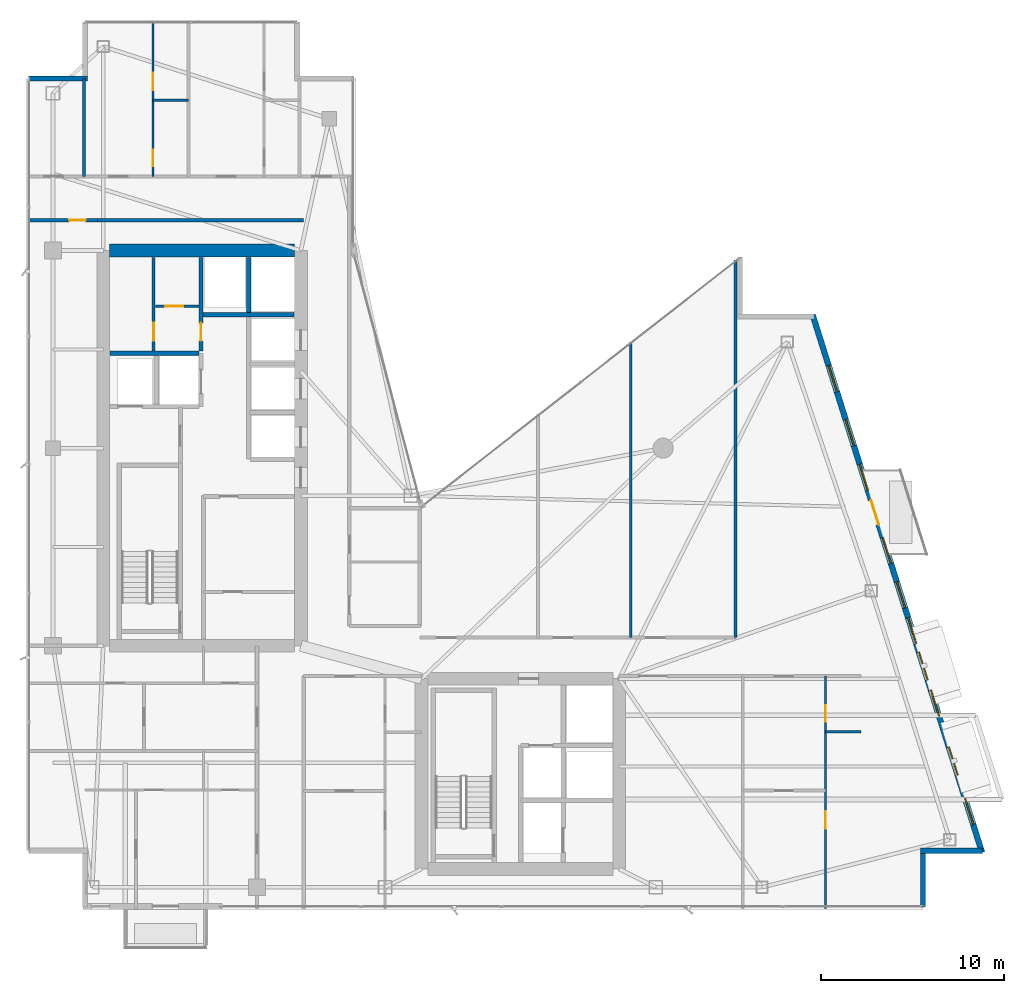
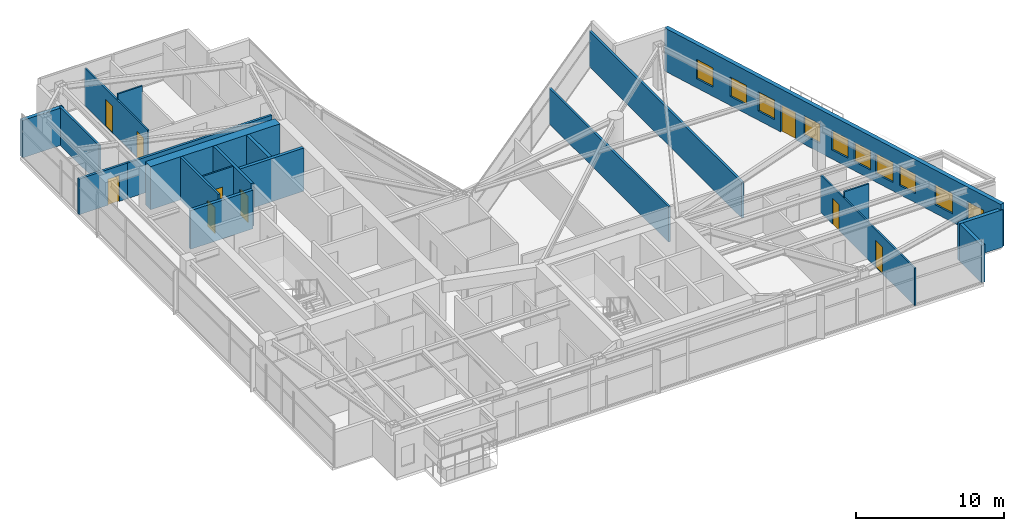
# One storey, part 25 of 29: 20 walls, 10 windows, 9 doors, 19 openings.
"""IFC4 building model written with IfcOpenShell, lengths in metres."""

from ifc_helpers import new_model, si_unit, direction, frame, frame_2d, origin, place, context, subcontext, project, spatial, rectangle, extrude, material, layer, layer_set, type_object, element, fill, save


model = new_model("IFC4")

# Units and contexts
model_context = context("Model", 3, precision=1e-05, world=origin(), true_north=direction((0.0, 1.0)))
body_context = subcontext(model_context, "Body", "Model", "MODEL_VIEW")
ifc_project = project(units=[si_unit("LENGTHUNIT", "METRE"), si_unit("AREAUNIT", "SQUARE_METRE"), si_unit("VOLUMEUNIT", "CUBIC_METRE"), si_unit("PLANEANGLEUNIT", "RADIAN"), si_unit("MASSUNIT", "GRAM", prefix="KILO")], contexts=[model_context])

# Site, building, storey
site_placement = place(None, origin())
site = spatial("IfcSite", under=ifc_project, at=site_placement, CompositionType="ELEMENT")
building_placement = place(site_placement, origin())
building = spatial("IfcBuilding", under=site, at=building_placement, Name="Calvorn Quay Hotel", CompositionType="ELEMENT")
storey_placement = place(building_placement, frame((0.0, 0.0, 211.0)))
storey = spatial("IfcBuildingStorey", under=building, at=storey_placement, Name="L52", CompositionType="ELEMENT", Elevation=211.0)

# Wall
ifc_material_1 = material(Name="Concrete C45", Category="concrete")
ifc_layer_1 = layer(ifc_material_1, 0.699951171875)
ifc_layer_set_1 = layer_set([ifc_layer_1], Name="WL-CORE-700")
wall_type_1 = type_object("IfcWallType", Name="WL-CORE-700", PredefinedType="SHEAR", material=ifc_layer_set_1)
wall_1_placement = place(storey_placement, frame((4.550048828125, 38.39990234375, 0.0), z_axis=(0.0, 0.0, 1.0), x_axis=(1.0, 0.0, 0.0)))
element("IfcWall", 1, at=wall_1_placement, inside=storey, type_object=wall_type_1, Name="West Core Shear Wall N (L52)", PredefinedType="SHEAR", context=body_context, shape_type="SweptSolid", body=[
    extrude(rectangle(XDim=10.099853515625, YDim=0.699951171875, at=frame_2d((5.0498046875, 0.0))), origin(), (0.0, 0.0, 1.0), 3.56005859375),
])

# Wall, opening, door
ifc_material_2 = material(Name="Acoustic Fireboard Steel-Stud Partition", Category="steel")
ifc_layer_2 = layer(ifc_material_2, 0.179931640625)
ifc_layer_set_2 = layer_set([ifc_layer_2], Name="WL-CORR-FIRE-180")
wall_type_2 = type_object("IfcWallType", Name="WL-CORR-FIRE-180", PredefinedType="PARTITIONING", material=ifc_layer_set_2)
wall_2_placement = place(storey_placement, frame((0.080078125, 40.050048828125, 0.0), z_axis=(0.0, 0.0, 1.0), x_axis=(1.0, 0.0, 0.0)))
wall_2 = element("IfcWall", 2, at=wall_2_placement, inside=storey, type_object=wall_type_2, Name="Partition Wall L52-WL-WBAY-N-DOOR", PredefinedType="PARTITIONING", context=body_context, shape_type="SweptSolid", body=[
    extrude(rectangle(XDim=3.7998046875, YDim=0.179931640625, at=frame_2d((1.89990234375, 0.0))), origin(), (0.0, 0.0, 1.0), 2.93994140625),
])
opening_1_placement = place(wall_2_placement, frame((2.25, 0.0, 0.0)))
opening_1 = element("IfcOpeningElement", 3, at=opening_1_placement, cuts=wall_2, Name="Opening D-L52-WBN", PredefinedType="OPENING", context=body_context, shape_type="SweptSolid", body=[
    extrude(rectangle(XDim=0.89990234375, YDim=2.14990234375, at=frame_2d((0.449951171875, 1.074951171875))), frame((0.0, 0.099853515625, 0.0), z_axis=(0.0, -1.0, 0.0), x_axis=(1.0, 0.0, 0.0)), (0.0, 0.0, 1.0), 0.199951171875),
])
ifc_material_3 = material(Name="Moisture-Sealed Timber En-Suite Door", Category="wood")
door_type_1 = type_object("IfcDoorType", Name="DR-ENSUITE-900", OperationType="NOTDEFINED", PredefinedType="DOOR", material=ifc_material_3)
door_1_placement = place(opening_1_placement, origin())
door_1 = element("IfcDoor", 4, at=door_1_placement, inside=storey, type_object=door_type_1, Name="West North Bay Door (L52)", OperationType="SINGLE_SWING_LEFT", OverallHeight=2.14990234375, OverallWidth=0.89990234375, PredefinedType="DOOR", context=body_context, shape_type="SweptSolid", body=[
    extrude(rectangle(XDim=0.89990234375, YDim=2.14990234375, at=frame_2d((0.449951171875, 1.074951171875))), frame((0.0, 0.02490234375, 0.0), z_axis=(0.0, -1.0, 0.0), x_axis=(1.0, 0.0, 0.0)), (0.0, 0.0, 1.0), 0.050048828125),
])
fill(opening_1, door_1)

# Walls
wall_3_placement = place(storey_placement, frame((3.830078125, 40.050048828125, 0.0), z_axis=(0.0, 0.0, 1.0), x_axis=(1.0, 0.0, 0.0)))
element("IfcWall", 5, at=wall_3_placement, inside=storey, type_object=wall_type_2, Name="Partition Wall L52-WL-W-SPUR-S", PredefinedType="PARTITIONING", context=body_context, shape_type="SweptSolid", body=[
    extrude(rectangle(XDim=11.31982421875, YDim=0.179931640625, at=frame_2d((5.659912109375, 0.0))), origin(), (0.0, 0.0, 1.0), 2.93994140625),
])
wall_4_placement = place(storey_placement, frame((38.75, 17.25, 0.0), z_axis=(0.0, 0.0, 1.0), x_axis=(0.0, 1.0, 0.0)))
element("IfcWall", 6, at=wall_4_placement, inside=storey, type_object=wall_type_2, Name="Partition Wall L52-WL-NE-END-E", PredefinedType="PARTITIONING", context=body_context, shape_type="SweptSolid", body=[
    extrude(rectangle(XDim=20.6298828125, YDim=0.179931640625, at=frame_2d((10.31494140625, 0.0))), origin(), (0.0, 0.0, 1.0), 2.93994140625),
])

# Wall, opening, door
ifc_material_4 = material(Name="Moisture-Resistant Tile-Backed Partition")
ifc_layer_3 = layer(ifc_material_4, 0.125)
ifc_layer_set_3 = layer_set([ifc_layer_3], Name="WL-ENSUITE-125")
wall_type_3 = type_object("IfcWallType", Name="WL-ENSUITE-125", PredefinedType="PARTITIONING", material=ifc_layer_set_3)
wall_5_placement = place(storey_placement, frame((7.050048828125, 35.35009765625, 0.0), z_axis=(0.0, 0.0, 1.0), x_axis=(1.0, 0.0, 0.0)))
wall_5 = element("IfcWall", 7, at=wall_5_placement, inside=storey, type_object=wall_type_3, Name="Partition Wall L52-WL-CWW-K-H", PredefinedType="PARTITIONING", context=body_context, shape_type="SweptSolid", body=[
    extrude(rectangle(XDim=2.369873046875, YDim=0.125, at=frame_2d((1.18505859375, 0.0))), origin(), (0.0, 0.0, 1.0), 3.56005859375),
])
opening_2_placement = place(wall_5_placement, frame((0.550048828125, 0.0, 0.0)))
opening_2 = element("IfcOpeningElement", 8, at=opening_2_placement, cuts=wall_5, Name="Opening D-L52-CK3", PredefinedType="OPENING", context=body_context, shape_type="SweptSolid", body=[
    extrude(rectangle(XDim=0.97998046875, YDim=2.14990234375, at=frame_2d((0.489990234375, 1.074951171875))), frame((0.0, 0.072509765625, 0.0), z_axis=(0.0, -1.0, 0.0), x_axis=(1.0, 0.0, 0.0)), (0.0, 0.0, 1.0), 0.14501953125),
])
ifc_material_5 = material(Name="Painted Steel Housekeeping/Riser Fire Door", Category="steel")
door_type_2 = type_object("IfcDoorType", Name="DR-SERVICE-980", OperationType="NOTDEFINED", PredefinedType="DOOR", material=ifc_material_5)
door_2_placement = place(opening_2_placement, origin())
door_2 = element("IfcDoor", 9, at=door_2_placement, inside=storey, type_object=door_type_2, Name="Telecom Closet Door (L52)", OperationType="SINGLE_SWING_RIGHT", OverallHeight=2.14990234375, OverallWidth=0.97998046875, PredefinedType="DOOR", context=body_context, shape_type="SweptSolid", body=[
    extrude(rectangle(XDim=0.97998046875, YDim=2.14990234375, at=frame_2d((0.489990234375, 1.074951171875))), frame((0.0, 0.02490234375, 0.0), z_axis=(0.0, -1.0, 0.0), x_axis=(1.0, 0.0, 0.0)), (0.0, 0.0, 1.0), 0.050048828125),
])
fill(opening_2, door_2)

# Wall
wall_6_placement = place(storey_placement, frame((6.919921875, 46.6201171875, 0.0), z_axis=(0.0, 0.0, 1.0), x_axis=(1.0, 0.0, 0.0)))
element("IfcWall", 10, at=wall_6_placement, inside=storey, type_object=wall_type_3, Name="Partition Wall L52-WL-U04-BDV", PredefinedType="PARTITIONING", context=body_context, shape_type="SweptSolid", body=[
    extrude(rectangle(XDim=1.93017578125, YDim=0.125, at=frame_2d((0.965087890625, 0.0))), origin(), (0.0, 0.0, 1.0), 3.56005859375),
])

# Wall, openings, doors
wall_7_placement = place(storey_placement, frame((6.919921875, 42.449951171875, 0.0), z_axis=(0.0, 0.0, 1.0), x_axis=(0.0, 1.0, 0.0)))
wall_7 = element("IfcWall", 11, at=wall_7_placement, inside=storey, type_object=wall_type_3, Name="Partition Wall L52-WL-U04-BV", PredefinedType="PARTITIONING", context=body_context, shape_type="SweptSolid", body=[
    extrude(rectangle(XDim=8.489990234375, YDim=0.125, at=frame_2d((4.2451171875, 0.0))), origin(), (0.0, 0.0, 1.0), 3.090087890625),
])
opening_3_placement = place(wall_7_placement, frame((0.550048828125, 0.0, 0.0)))
opening_3 = element("IfcOpeningElement", 12, at=opening_3_placement, cuts=wall_7, Name="Opening D-L52-E04", PredefinedType="OPENING", context=body_context, shape_type="SweptSolid", body=[
    extrude(rectangle(XDim=0.89990234375, YDim=2.14990234375, at=frame_2d((0.449951171875, 1.074951171875))), frame((0.0, 0.072509765625, 0.0), z_axis=(0.0, -1.0, 0.0), x_axis=(1.0, 0.0, 0.0)), (0.0, 0.0, 1.0), 0.14501953125),
])
opening_4_placement = place(wall_7_placement, frame((4.719970703125, 0.0, 0.0)))
opening_4 = element("IfcOpeningElement", 13, at=opening_4_placement, cuts=wall_7, Name="Opening D-L52-S04", PredefinedType="OPENING", context=body_context, shape_type="SweptSolid", body=[
    extrude(rectangle(XDim=0.9599609375, YDim=2.199951171875, at=frame_2d((0.47998046875, 1.10009765625))), frame((0.0, 0.072509765625, 0.0), z_axis=(0.0, -1.0, 0.0), x_axis=(1.0, 0.0, 0.0)), (0.0, 0.0, 1.0), 0.14501953125),
])
door_3_placement = place(opening_3_placement, origin())
door_3 = element("IfcDoor", 14, at=door_3_placement, inside=storey, type_object=door_type_1, Name="En-Suite Door 04", OperationType="SINGLE_SWING_LEFT", OverallHeight=2.14990234375, OverallWidth=0.89990234375, PredefinedType="DOOR", context=body_context, shape_type="SweptSolid", body=[
    extrude(rectangle(XDim=0.89990234375, YDim=2.14990234375, at=frame_2d((0.449951171875, 1.074951171875))), frame((0.0, 0.02490234375, 0.0), z_axis=(0.0, -1.0, 0.0), x_axis=(1.0, 0.0, 0.0)), (0.0, 0.0, 1.0), 0.050048828125),
])
fill(opening_3, door_3)
ifc_material_6 = material(Name="Solid Timber Internal Suite Door", Category="wood")
door_type_3 = type_object("IfcDoorType", Name="DR-SUITE-INT-960", OperationType="NOTDEFINED", PredefinedType="DOOR", material=ifc_material_6)
door_4_placement = place(opening_4_placement, origin())
door_4 = element("IfcDoor", 15, at=door_4_placement, inside=storey, type_object=door_type_3, Name="Harbour Tea Room Door 04", OperationType="SINGLE_SWING_RIGHT", OverallHeight=2.199951171875, OverallWidth=0.9599609375, PredefinedType="DOOR", context=body_context, shape_type="SweptSolid", body=[
    extrude(rectangle(XDim=0.9599609375, YDim=2.199951171875, at=frame_2d((0.47998046875, 1.10009765625))), frame((0.0, 0.02490234375, 0.0), z_axis=(0.0, -1.0, 0.0), x_axis=(1.0, 0.0, 0.0)), (0.0, 0.0, 1.0), 0.050048828125),
])
fill(opening_4, door_4)

# Wall
wall_8_placement = place(storey_placement, frame((43.669921875, 12.10009765625, 0.0), z_axis=(0.0, 0.0, 1.0), x_axis=(1.0, 0.0, 0.0)))
element("IfcWall", 16, at=wall_8_placement, inside=storey, type_object=wall_type_3, Name="Partition Wall L52-WL-U06-BDV", PredefinedType="PARTITIONING", context=body_context, shape_type="SweptSolid", body=[
    extrude(rectangle(XDim=1.93017578125, YDim=0.125, at=frame_2d((0.965087890625, 0.0))), origin(), (0.0, 0.0, 1.0), 3.56005859375),
])

# Wall, openings, doors
wall_9_placement = place(storey_placement, frame((43.669921875, 2.43994140625, 0.0), z_axis=(0.0, 0.0, 1.0), x_axis=(0.0, 1.0, 0.0)))
wall_9 = element("IfcWall", 17, at=wall_9_placement, inside=storey, type_object=wall_type_3, Name="Partition Wall L52-WL-U06-BV", PredefinedType="PARTITIONING", context=body_context, shape_type="SweptSolid", body=[
    extrude(rectangle(XDim=12.7099609375, YDim=0.125, at=frame_2d((6.35498046875, 0.0))), origin(), (0.0, 0.0, 1.0), 3.090087890625),
])
opening_5_placement = place(wall_9_placement, frame((4.35009765625, 0.0, 0.0)))
opening_5 = element("IfcOpeningElement", 18, at=opening_5_placement, cuts=wall_9, Name="Opening D-L52-S06", PredefinedType="OPENING", context=body_context, shape_type="SweptSolid", body=[
    extrude(rectangle(XDim=0.9599609375, YDim=2.199951171875, at=frame_2d((0.47998046875, 1.10009765625))), frame((0.0, 0.072509765625, 0.0), z_axis=(0.0, -1.0, 0.0), x_axis=(1.0, 0.0, 0.0)), (0.0, 0.0, 1.0), 0.14501953125),
])
opening_6_placement = place(wall_9_placement, frame((10.2099609375, 0.0, 0.0)))
opening_6 = element("IfcOpeningElement", 19, at=opening_6_placement, cuts=wall_9, Name="Opening D-L52-E06", PredefinedType="OPENING", context=body_context, shape_type="SweptSolid", body=[
    extrude(rectangle(XDim=0.89990234375, YDim=2.14990234375, at=frame_2d((0.449951171875, 1.074951171875))), frame((0.0, 0.072509765625, 0.0), z_axis=(0.0, -1.0, 0.0), x_axis=(1.0, 0.0, 0.0)), (0.0, 0.0, 1.0), 0.14501953125),
])
door_5_placement = place(opening_6_placement, origin())
door_5 = element("IfcDoor", 20, at=door_5_placement, inside=storey, type_object=door_type_1, Name="En-Suite Door 06", OperationType="SINGLE_SWING_RIGHT", OverallHeight=2.14990234375, OverallWidth=0.89990234375, PredefinedType="DOOR", context=body_context, shape_type="SweptSolid", body=[
    extrude(rectangle(XDim=0.89990234375, YDim=2.14990234375, at=frame_2d((0.449951171875, 1.074951171875))), frame((0.0, 0.02490234375, 0.0), z_axis=(0.0, -1.0, 0.0), x_axis=(1.0, 0.0, 0.0)), (0.0, 0.0, 1.0), 0.050048828125),
])
fill(opening_6, door_5)
door_6_placement = place(opening_5_placement, origin())
door_6 = element("IfcDoor", 21, at=door_6_placement, inside=storey, type_object=door_type_3, Name="Harbour Tea Room Door 06", OperationType="SINGLE_SWING_LEFT", OverallHeight=2.199951171875, OverallWidth=0.9599609375, PredefinedType="DOOR", context=body_context, shape_type="SweptSolid", body=[
    extrude(rectangle(XDim=0.9599609375, YDim=2.199951171875, at=frame_2d((0.47998046875, 1.10009765625))), frame((0.0, 0.02490234375, 0.0), z_axis=(0.0, -1.0, 0.0), x_axis=(1.0, 0.0, 0.0)), (0.0, 0.0, 1.0), 0.050048828125),
])
fill(opening_5, door_6)

# Walls
ifc_material_7 = material(Name="Concrete C40", Category="concrete")
ifc_layer_4 = layer(ifc_material_7, 0.320068359375)
ifc_layer_set_4 = layer_set([ifc_layer_4], Name="WL-EXT-SPANDREL-320")
wall_type_4 = type_object("IfcWallType", Name="WL-EXT-SPANDREL-320", PredefinedType="SOLIDWALL", material=ifc_layer_set_4)
wall_10_placement = place(storey_placement, frame((49.0, 2.52001953125, 0.0), z_axis=(0.0, 0.0, 1.0), x_axis=(0.0, 1.0, 0.0)))
element("IfcWall", 22, at=wall_10_placement, inside=storey, type_object=wall_type_4, Name="Notched Corner Spandrel L52-SE1", PredefinedType="SOLIDWALL", context=body_context, shape_type="SweptSolid", body=[
    extrude(rectangle(XDim=2.93994140625, YDim=0.280029296875, at=frame_2d((1.469970703125, 0.0))), origin(), (0.0, 0.0, 1.0), 3.090087890625),
])
wall_11_placement = place(storey_placement, frame((48.860107421875, 5.60009765625, 0.0), z_axis=(0.0, 0.0, 1.0), x_axis=(1.0, 0.0, 0.0)))
element("IfcWall", 23, at=wall_11_placement, inside=storey, type_object=wall_type_4, Name="Notched Corner Spandrel L52-SE2", PredefinedType="SOLIDWALL", context=body_context, shape_type="SweptSolid", body=[
    extrude(rectangle(XDim=3.3798828125, YDim=0.280029296875, at=frame_2d((1.68994140625, 0.0))), origin(), (0.0, 0.0, 1.0), 3.090087890625),
])
wall_12_placement = place(storey_placement, frame((3.340087890625, 47.800048828125, 0.0), z_axis=(0.0, 0.0, 1.0), x_axis=(-1.0, 0.0, 0.0)))
element("IfcWall", 24, at=wall_12_placement, inside=storey, type_object=wall_type_4, Name="Notched Corner Spandrel L52-NW2", PredefinedType="SOLIDWALL", context=body_context, shape_type="SweptSolid", body=[
    extrude(rectangle(XDim=3.219970703125, YDim=0.280029296875, at=frame_2d((1.60986328125, 0.0))), origin(), (0.0, 0.0, 1.0), 3.090087890625),
])

# Wall, openings, door, windows
wall_13_placement = place(storey_placement, frame((52.22998046875, 5.5048828125, 0.0), z_axis=(0.0, 0.0, 1.0), x_axis=(-0.300509063924, 0.953778958931, 0.0)))
wall_13 = element("IfcWall", 25, at=wall_13_placement, inside=storey, type_object=wall_type_4, Name="East Stepped Waterfront Exterior Wall (L52)", PredefinedType="SOLIDWALL", context=body_context, shape_type="SweptSolid", body=[
    extrude(rectangle(XDim=30.814453125, YDim=0.320068359375, at=frame_2d((15.4072265625, 0.0))), origin(), (0.0, 0.0, 1.0), 3.56005859375),
])
opening_7_placement = place(wall_13_placement, frame((18.7958984375, 0.0, 0.0)))
opening_7 = element("IfcOpeningElement", 26, at=opening_7_placement, cuts=wall_13, Name="Opening DB-L52-1", PredefinedType="OPENING", context=body_context, shape_type="SweptSolid", body=[
    extrude(rectangle(XDim=1.39990234375, YDim=2.25, at=frame_2d((0.699951171875, 1.125))), frame((0.0, 0.169921875, 0.0), z_axis=(0.0, -1.0, 0.0), x_axis=(1.0, 0.0, 0.0)), (0.0, 0.0, 1.0), 0.340087890625),
])
opening_8_placement = place(wall_13_placement, frame((4.43701171875, 0.0, 0.699951171875)))
opening_8 = element("IfcOpeningElement", 27, at=opening_8_placement, cuts=wall_13, Name="Opening WHD-L52-1", PredefinedType="OPENING", context=body_context, shape_type="SweptSolid", body=[
    extrude(rectangle(XDim=1.60009765625, YDim=1.64990234375, at=frame_2d((0.800048828125, 0.824951171875))), frame((0.0, 0.169921875, 0.0), z_axis=(0.0, -1.0, 0.0), x_axis=(1.0, 0.0, 0.0)), (0.0, 0.0, 1.0), 0.340087890625),
])
opening_9_placement = place(wall_13_placement, frame((9.888916015625, 0.0, 0.699951171875)))
opening_9 = element("IfcOpeningElement", 28, at=opening_9_placement, cuts=wall_13, Name="Opening WHD-L52-2", PredefinedType="OPENING", context=body_context, shape_type="SweptSolid", body=[
    extrude(rectangle(XDim=1.60009765625, YDim=1.64990234375, at=frame_2d((0.800048828125, 0.824951171875))), frame((0.0, 0.169921875, 0.0), z_axis=(0.0, -1.0, 0.0), x_axis=(1.0, 0.0, 0.0)), (0.0, 0.0, 1.0), 0.340087890625),
])
opening_10_placement = place(wall_13_placement, frame((1.60009765625, 0.0, 0.75)))
opening_10 = element("IfcOpeningElement", 29, at=opening_10_placement, cuts=wall_13, Name="Opening WG-L52-E1", PredefinedType="OPENING", context=body_context, shape_type="SweptSolid", body=[
    extrude(rectangle(XDim=1.5, YDim=1.60009765625, at=frame_2d((0.75, 0.800048828125))), frame((0.0, 0.169921875, 0.0), z_axis=(0.0, -1.0, 0.0), x_axis=(1.0, 0.0, 0.0)), (0.0, 0.0, 1.0), 0.340087890625),
])
opening_11_placement = place(wall_13_placement, frame((7.800048828125, 0.0, 0.75)))
opening_11 = element("IfcOpeningElement", 30, at=opening_11_placement, cuts=wall_13, Name="Opening WG-L52-E2", PredefinedType="OPENING", context=body_context, shape_type="SweptSolid", body=[
    extrude(rectangle(XDim=1.5, YDim=1.60009765625, at=frame_2d((0.75, 0.800048828125))), frame((0.0, 0.169921875, 0.0), z_axis=(0.0, -1.0, 0.0), x_axis=(1.0, 0.0, 0.0)), (0.0, 0.0, 1.0), 0.340087890625),
])
opening_12_placement = place(wall_13_placement, frame((11.949951171875, 0.0, 0.75)))
opening_12 = element("IfcOpeningElement", 31, at=opening_12_placement, cuts=wall_13, Name="Opening WG-L52-E3", PredefinedType="OPENING", context=body_context, shape_type="SweptSolid", body=[
    extrude(rectangle(XDim=1.5, YDim=1.60009765625, at=frame_2d((0.75, 0.800048828125))), frame((0.0, 0.169921875, 0.0), z_axis=(0.0, -1.0, 0.0), x_axis=(1.0, 0.0, 0.0)), (0.0, 0.0, 1.0), 0.340087890625),
])
opening_13_placement = place(wall_13_placement, frame((14.0, 0.0, 0.75)))
opening_13 = element("IfcOpeningElement", 32, at=opening_13_placement, cuts=wall_13, Name="Opening WG-L52-E4", PredefinedType="OPENING", context=body_context, shape_type="SweptSolid", body=[
    extrude(rectangle(XDim=1.5, YDim=1.60009765625, at=frame_2d((0.75, 0.800048828125))), frame((0.0, 0.169921875, 0.0), z_axis=(0.0, -1.0, 0.0), x_axis=(1.0, 0.0, 0.0)), (0.0, 0.0, 1.0), 0.340087890625),
])
opening_14_placement = place(wall_13_placement, frame((16.550048828125, 0.0, 0.75)))
opening_14 = element("IfcOpeningElement", 33, at=opening_14_placement, cuts=wall_13, Name="Opening WG-L52-E5", PredefinedType="OPENING", context=body_context, shape_type="SweptSolid", body=[
    extrude(rectangle(XDim=1.5, YDim=1.60009765625, at=frame_2d((0.75, 0.800048828125))), frame((0.0, 0.169921875, 0.0), z_axis=(0.0, -1.0, 0.0), x_axis=(1.0, 0.0, 0.0)), (0.0, 0.0, 1.0), 0.340087890625),
])
opening_15_placement = place(wall_13_placement, frame((20.75, 0.0, 0.75)))
opening_15 = element("IfcOpeningElement", 34, at=opening_15_placement, cuts=wall_13, Name="Opening WG-L52-E6", PredefinedType="OPENING", context=body_context, shape_type="SweptSolid", body=[
    extrude(rectangle(XDim=1.5, YDim=1.60009765625, at=frame_2d((0.75, 0.800048828125))), frame((0.0, 0.169921875, 0.0), z_axis=(0.0, -1.0, 0.0), x_axis=(1.0, 0.0, 0.0)), (0.0, 0.0, 1.0), 0.340087890625),
])
opening_16_placement = place(wall_13_placement, frame((23.300048828125, 0.0, 0.75)))
opening_16 = element("IfcOpeningElement", 35, at=opening_16_placement, cuts=wall_13, Name="Opening WG-L52-E7", PredefinedType="OPENING", context=body_context, shape_type="SweptSolid", body=[
    extrude(rectangle(XDim=1.5, YDim=1.60009765625, at=frame_2d((0.75, 0.800048828125))), frame((0.0, 0.169921875, 0.0), z_axis=(0.0, -1.0, 0.0), x_axis=(1.0, 0.0, 0.0)), (0.0, 0.0, 1.0), 0.340087890625),
])
opening_17_placement = place(wall_13_placement, frame((26.39990234375, 0.0, 0.75)))
opening_17 = element("IfcOpeningElement", 36, at=opening_17_placement, cuts=wall_13, Name="Opening WG-L52-E8", PredefinedType="OPENING", context=body_context, shape_type="SweptSolid", body=[
    extrude(rectangle(XDim=1.5, YDim=1.60009765625, at=frame_2d((0.75, 0.800048828125))), frame((0.0, 0.169921875, 0.0), z_axis=(0.0, -1.0, 0.0), x_axis=(1.0, 0.0, 0.0)), (0.0, 0.0, 1.0), 0.340087890625),
])
ifc_material_8 = material(Name="Typhoon-Rated Low-E Aluminium Terrace Door", Category="aluminium")
door_type_4 = type_object("IfcDoorType", Name="DR-BALCONY-GLZ-1400", OperationType="NOTDEFINED", PredefinedType="DOOR", material=ifc_material_8)
door_7_placement = place(opening_7_placement, origin())
door_7 = element("IfcDoor", 37, at=door_7_placement, inside=storey, type_object=door_type_4, Name="Tree Balcony Terrace Door L52-BALC-E", OperationType="SINGLE_SWING_LEFT", OverallHeight=2.25, OverallWidth=1.39990234375, PredefinedType="DOOR", context=body_context, shape_type="SweptSolid", body=[
    extrude(rectangle(XDim=1.39990234375, YDim=2.25, at=frame_2d((0.699951171875, 1.125))), frame((0.0, 0.02490234375, 0.0), z_axis=(0.0, -1.0, 0.0), x_axis=(1.0, 0.0, 0.0)), (0.0, 0.0, 1.0), 0.050048828125),
])
fill(opening_7, door_7)
ifc_material_9 = material(Name="Champagne-Bronze Aluminium Low-E Window", Category="aluminium")
window_type_1 = type_object("IfcWindowType", Name="WIN-GUEST-SIDE-1600x2100", PartitioningType="SINGLE_PANEL", PredefinedType="WINDOW", material=ifc_material_9)
window_1_placement = place(opening_8_placement, origin())
window_1 = element("IfcWindow", 38, at=window_1_placement, inside=storey, type_object=window_type_1, Name="Bay Hood Window L52-HOOD-1", OverallHeight=1.64990234375, OverallWidth=1.60009765625, PartitioningType="SINGLE_PANEL", PredefinedType="WINDOW", context=body_context, shape_type="SweptSolid", body=[
    extrude(rectangle(XDim=1.60009765625, YDim=1.64990234375, at=frame_2d((0.800048828125, 0.824951171875))), frame((0.0, 0.030029296875, 0.0), z_axis=(0.0, -1.0, 0.0), x_axis=(1.0, 0.0, 0.0)), (0.0, 0.0, 1.0), 0.06005859375),
])
fill(opening_8, window_1)
window_2_placement = place(opening_9_placement, origin())
window_2 = element("IfcWindow", 39, at=window_2_placement, inside=storey, type_object=window_type_1, Name="Bay Hood Window L52-HOOD-2", OverallHeight=1.64990234375, OverallWidth=1.60009765625, PartitioningType="SINGLE_PANEL", PredefinedType="WINDOW", context=body_context, shape_type="SweptSolid", body=[
    extrude(rectangle(XDim=1.60009765625, YDim=1.64990234375, at=frame_2d((0.800048828125, 0.824951171875))), frame((0.0, 0.030029296875, 0.0), z_axis=(0.0, -1.0, 0.0), x_axis=(1.0, 0.0, 0.0)), (0.0, 0.0, 1.0), 0.06005859375),
])
fill(opening_9, window_2)
ifc_material_10 = material(Name="Self-Closing Class B Fire Window")
window_type_2 = type_object("IfcWindowType", Name="WIN-REFUGE-1500x1600", PartitioningType="SINGLE_PANEL", PredefinedType="WINDOW", material=ifc_material_10)
window_3_placement = place(opening_10_placement, origin())
window_3 = element("IfcWindow", 40, at=window_3_placement, inside=storey, type_object=window_type_2, Name="East Facade Window L52-E1", OverallHeight=1.60009765625, OverallWidth=1.5, PartitioningType="SINGLE_PANEL", PredefinedType="WINDOW", context=body_context, shape_type="SweptSolid", body=[
    extrude(rectangle(XDim=1.5, YDim=1.60009765625, at=frame_2d((0.75, 0.800048828125))), frame((0.0, 0.030029296875, 0.0), z_axis=(0.0, -1.0, 0.0), x_axis=(1.0, 0.0, 0.0)), (0.0, 0.0, 1.0), 0.06005859375),
])
fill(opening_10, window_3)
window_4_placement = place(opening_11_placement, origin())
window_4 = element("IfcWindow", 41, at=window_4_placement, inside=storey, type_object=window_type_2, Name="East Facade Window L52-E2", OverallHeight=1.60009765625, OverallWidth=1.5, PartitioningType="SINGLE_PANEL", PredefinedType="WINDOW", context=body_context, shape_type="SweptSolid", body=[
    extrude(rectangle(XDim=1.5, YDim=1.60009765625, at=frame_2d((0.75, 0.800048828125))), frame((0.0, 0.030029296875, 0.0), z_axis=(0.0, -1.0, 0.0), x_axis=(1.0, 0.0, 0.0)), (0.0, 0.0, 1.0), 0.06005859375),
])
fill(opening_11, window_4)
window_5_placement = place(opening_12_placement, origin())
window_5 = element("IfcWindow", 42, at=window_5_placement, inside=storey, type_object=window_type_2, Name="East Facade Window L52-E3", OverallHeight=1.60009765625, OverallWidth=1.5, PartitioningType="SINGLE_PANEL", PredefinedType="WINDOW", context=body_context, shape_type="SweptSolid", body=[
    extrude(rectangle(XDim=1.5, YDim=1.60009765625, at=frame_2d((0.75, 0.800048828125))), frame((0.0, 0.030029296875, 0.0), z_axis=(0.0, -1.0, 0.0), x_axis=(1.0, 0.0, 0.0)), (0.0, 0.0, 1.0), 0.06005859375),
])
fill(opening_12, window_5)
window_6_placement = place(opening_13_placement, origin())
window_6 = element("IfcWindow", 43, at=window_6_placement, inside=storey, type_object=window_type_2, Name="East Facade Window L52-E4", OverallHeight=1.60009765625, OverallWidth=1.5, PartitioningType="SINGLE_PANEL", PredefinedType="WINDOW", context=body_context, shape_type="SweptSolid", body=[
    extrude(rectangle(XDim=1.5, YDim=1.60009765625, at=frame_2d((0.75, 0.800048828125))), frame((0.0, 0.030029296875, 0.0), z_axis=(0.0, -1.0, 0.0), x_axis=(1.0, 0.0, 0.0)), (0.0, 0.0, 1.0), 0.06005859375),
])
fill(opening_13, window_6)
window_7_placement = place(opening_14_placement, origin())
window_7 = element("IfcWindow", 44, at=window_7_placement, inside=storey, type_object=window_type_2, Name="East Facade Window L52-E5", OverallHeight=1.60009765625, OverallWidth=1.5, PartitioningType="SINGLE_PANEL", PredefinedType="WINDOW", context=body_context, shape_type="SweptSolid", body=[
    extrude(rectangle(XDim=1.5, YDim=1.60009765625, at=frame_2d((0.75, 0.800048828125))), frame((0.0, 0.030029296875, 0.0), z_axis=(0.0, -1.0, 0.0), x_axis=(1.0, 0.0, 0.0)), (0.0, 0.0, 1.0), 0.06005859375),
])
fill(opening_14, window_7)
window_8_placement = place(opening_15_placement, origin())
window_8 = element("IfcWindow", 45, at=window_8_placement, inside=storey, type_object=window_type_2, Name="East Facade Window L52-E6", OverallHeight=1.60009765625, OverallWidth=1.5, PartitioningType="SINGLE_PANEL", PredefinedType="WINDOW", context=body_context, shape_type="SweptSolid", body=[
    extrude(rectangle(XDim=1.5, YDim=1.60009765625, at=frame_2d((0.75, 0.800048828125))), frame((0.0, 0.030029296875, 0.0), z_axis=(0.0, -1.0, 0.0), x_axis=(1.0, 0.0, 0.0)), (0.0, 0.0, 1.0), 0.06005859375),
])
fill(opening_15, window_8)
window_9_placement = place(opening_16_placement, origin())
window_9 = element("IfcWindow", 46, at=window_9_placement, inside=storey, type_object=window_type_2, Name="East Facade Window L52-E7", OverallHeight=1.60009765625, OverallWidth=1.5, PartitioningType="SINGLE_PANEL", PredefinedType="WINDOW", context=body_context, shape_type="SweptSolid", body=[
    extrude(rectangle(XDim=1.5, YDim=1.60009765625, at=frame_2d((0.75, 0.800048828125))), frame((0.0, 0.030029296875, 0.0), z_axis=(0.0, -1.0, 0.0), x_axis=(1.0, 0.0, 0.0)), (0.0, 0.0, 1.0), 0.06005859375),
])
fill(opening_16, window_9)
window_10_placement = place(opening_17_placement, origin())
window_10 = element("IfcWindow", 47, at=window_10_placement, inside=storey, type_object=window_type_2, Name="East Facade Window L52-E8", OverallHeight=1.60009765625, OverallWidth=1.5, PartitioningType="SINGLE_PANEL", PredefinedType="WINDOW", context=body_context, shape_type="SweptSolid", body=[
    extrude(rectangle(XDim=1.5, YDim=1.60009765625, at=frame_2d((0.75, 0.800048828125))), frame((0.0, 0.030029296875, 0.0), z_axis=(0.0, -1.0, 0.0), x_axis=(1.0, 0.0, 0.0)), (0.0, 0.0, 1.0), 0.06005859375),
])
fill(opening_17, window_10)

# Wall, opening, door
ifc_material_11 = material(Name="Double-Stud Acoustic Gypsum Partition")
ifc_layer_5 = layer(ifc_material_11, 0.159912109375)
ifc_layer_set_5 = layer_set([ifc_layer_5], Name="WL-INTERSUITE-160")
wall_type_5 = type_object("IfcWallType", Name="WL-INTERSUITE-160", PredefinedType="PARTITIONING", material=ifc_layer_set_5)
wall_14_placement = place(storey_placement, frame((6.949951171875, 32.919921875, 0.0), z_axis=(0.0, 0.0, 1.0), x_axis=(0.0, 1.0, 0.0)))
wall_14 = element("IfcWall", 48, at=wall_14_placement, inside=storey, type_object=wall_type_5, Name="Partition Wall L52-WL-CWW-K-V", PredefinedType="PARTITIONING", context=body_context, shape_type="SweptSolid", body=[
    extrude(rectangle(XDim=5.110107421875, YDim=0.159912109375, at=frame_2d((2.55517578125, 0.0))), origin(), (0.0, 0.0, 1.0), 3.56005859375),
])
opening_18_placement = place(wall_14_placement, frame((0.550048828125, 0.0, 0.0)))
opening_18 = element("IfcOpeningElement", 49, at=opening_18_placement, cuts=wall_14, Name="Opening D-L52-CK1", PredefinedType="OPENING", context=body_context, shape_type="SweptSolid", body=[
    extrude(rectangle(XDim=0.97998046875, YDim=2.14990234375, at=frame_2d((0.489990234375, 1.074951171875))), frame((0.0, 0.08984375, 0.0), z_axis=(0.0, -1.0, 0.0), x_axis=(1.0, 0.0, 0.0)), (0.0, 0.0, 1.0), 0.179931640625),
])
door_8_placement = place(opening_18_placement, origin())
door_8 = element("IfcDoor", 50, at=door_8_placement, inside=storey, type_object=door_type_2, Name="Pipe Riser Door (L52)", OperationType="SINGLE_SWING_LEFT", OverallHeight=2.14990234375, OverallWidth=0.97998046875, PredefinedType="DOOR", context=body_context, shape_type="SweptSolid", body=[
    extrude(rectangle(XDim=0.97998046875, YDim=2.14990234375, at=frame_2d((0.489990234375, 1.074951171875))), frame((0.0, 0.02490234375, 0.0), z_axis=(0.0, -1.0, 0.0), x_axis=(1.0, 0.0, 0.0)), (0.0, 0.0, 1.0), 0.050048828125),
])
fill(opening_18, door_8)

# Walls
wall_15_placement = place(storey_placement, frame((3.14990234375, 42.449951171875, 0.0), z_axis=(0.0, 0.0, 1.0), x_axis=(0.0, 1.0, 0.0)))
element("IfcWall", 51, at=wall_15_placement, inside=storey, type_object=wall_type_5, Name="Partition Wall L52-WL-NW-DIV-W0", PredefinedType="PARTITIONING", context=body_context, shape_type="SweptSolid", body=[
    extrude(rectangle(XDim=5.35009765625, YDim=0.159912109375, at=frame_2d((2.675048828125, 0.0))), origin(), (0.0, 0.0, 1.0), 3.139892578125),
])
wall_16_placement = place(storey_placement, frame((33.030029296875, 17.25, 0.0), z_axis=(0.0, 0.0, 1.0), x_axis=(0.0, 1.0, 0.0)))
element("IfcWall", 52, at=wall_16_placement, inside=storey, type_object=wall_type_5, Name="Partition Wall L52-WL-NE-DIV-2", PredefinedType="PARTITIONING", context=body_context, shape_type="SweptSolid", body=[
    extrude(rectangle(XDim=16.159912109375, YDim=0.159912109375, at=frame_2d((8.080078125, 0.0))), origin(), (0.0, 0.0, 1.0), 2.93994140625),
])

# Wall, opening, door
ifc_material_12 = material(Name="Autoclaved Aerated Masonry Block", Category="masonry")
ifc_layer_6 = layer(ifc_material_12, 0.219970703125)
ifc_layer_set_6 = layer_set([ifc_layer_6], Name="WL-LOBBY-FIRE-220")
wall_type_6 = type_object("IfcWallType", Name="WL-LOBBY-FIRE-220", PredefinedType="SOLIDWALL", material=ifc_layer_set_6)
wall_17_placement = place(storey_placement, frame((9.5400390625, 32.919921875, 0.0), z_axis=(0.0, 0.0, 1.0), x_axis=(0.0, 1.0, 0.0)))
wall_17 = element("IfcWall", 53, at=wall_17_placement, inside=storey, type_object=wall_type_6, Name="Partition Wall L52-WL-CWW-K-E", PredefinedType="SOLIDWALL", context=body_context, shape_type="SweptSolid", body=[
    extrude(rectangle(XDim=5.110107421875, YDim=0.219970703125, at=frame_2d((2.55517578125, 0.0))), origin(), (0.0, 0.0, 1.0), 3.56005859375),
])
opening_19_placement = place(wall_17_placement, frame((0.550048828125, 0.0, 0.0)))
opening_19 = element("IfcOpeningElement", 54, at=opening_19_placement, cuts=wall_17, Name="Opening D-L52-CK2", PredefinedType="OPENING", context=body_context, shape_type="SweptSolid", body=[
    extrude(rectangle(XDim=0.97998046875, YDim=2.14990234375, at=frame_2d((0.489990234375, 1.074951171875))), frame((0.0, 0.119873046875, 0.0), z_axis=(0.0, -1.0, 0.0), x_axis=(1.0, 0.0, 0.0)), (0.0, 0.0, 1.0), 0.239990234375),
])
door_9_placement = place(opening_19_placement, origin())
door_9 = element("IfcDoor", 55, at=door_9_placement, inside=storey, type_object=door_type_2, Name="Valet Closet Door (L52)", OperationType="SINGLE_SWING_LEFT", OverallHeight=2.14990234375, OverallWidth=0.97998046875, PredefinedType="DOOR", context=body_context, shape_type="SweptSolid", body=[
    extrude(rectangle(XDim=0.97998046875, YDim=2.14990234375, at=frame_2d((0.489990234375, 1.074951171875))), frame((0.0, 0.02490234375, 0.0), z_axis=(0.0, -1.0, 0.0), x_axis=(1.0, 0.0, 0.0)), (0.0, 0.0, 1.0), 0.050048828125),
])
fill(opening_19, door_9)

# Walls
ifc_material_13 = material(Name="Concrete C40", Category="concrete")
ifc_layer_7 = layer(ifc_material_13, 0.239990234375)
ifc_layer_set_7 = layer_set([ifc_layer_7], Name="WL-SHAFT-240")
wall_type_7 = type_object("IfcWallType", Name="WL-SHAFT-240", PredefinedType="SOLIDWALL", material=ifc_layer_set_7)
wall_18_placement = place(storey_placement, frame((4.570068359375, 32.780029296875, 0.0), z_axis=(0.0, 0.0, 1.0), x_axis=(1.0, 0.0, 0.0)))
element("IfcWall", 56, at=wall_18_placement, inside=storey, type_object=wall_type_7, Name="Partition Wall L52-WL-CWW-SLW-N", PredefinedType="SOLIDWALL", context=body_context, shape_type="SweptSolid", body=[
    extrude(rectangle(XDim=4.849853515625, YDim=0.239990234375, at=frame_2d((2.4248046875, 0.0))), origin(), (0.0, 0.0, 1.0), 3.18994140625),
])
wall_19_placement = place(storey_placement, frame((9.659912109375, 34.89990234375, 0.0), z_axis=(0.0, 0.0, 1.0), x_axis=(1.0, 0.0, 0.0)))
element("IfcWall", 57, at=wall_19_placement, inside=storey, type_object=wall_type_7, Name="Partition Wall L52-WL-CWW-PLH-S", PredefinedType="SOLIDWALL", context=body_context, shape_type="SweptSolid", body=[
    extrude(rectangle(XDim=4.969970703125, YDim=0.239990234375, at=frame_2d((2.48486328125, 0.0))), origin(), (0.0, 0.0, 1.0), 3.56005859375),
])
wall_20_placement = place(storey_placement, frame((12.14990234375, 35.02001953125, 0.0), z_axis=(0.0, 0.0, 1.0), x_axis=(0.0, 1.0, 0.0)))
element("IfcWall", 58, at=wall_20_placement, inside=storey, type_object=wall_type_7, Name="Partition Wall L52-WL-CWW-PLH-DIV", PredefinedType="SOLIDWALL", context=body_context, shape_type="SweptSolid", body=[
    extrude(rectangle(XDim=3.010009765625, YDim=0.239990234375, at=frame_2d((1.5048828125, 0.0))), origin(), (0.0, 0.0, 1.0), 3.56005859375),
])

save(model, "model.ifc")
